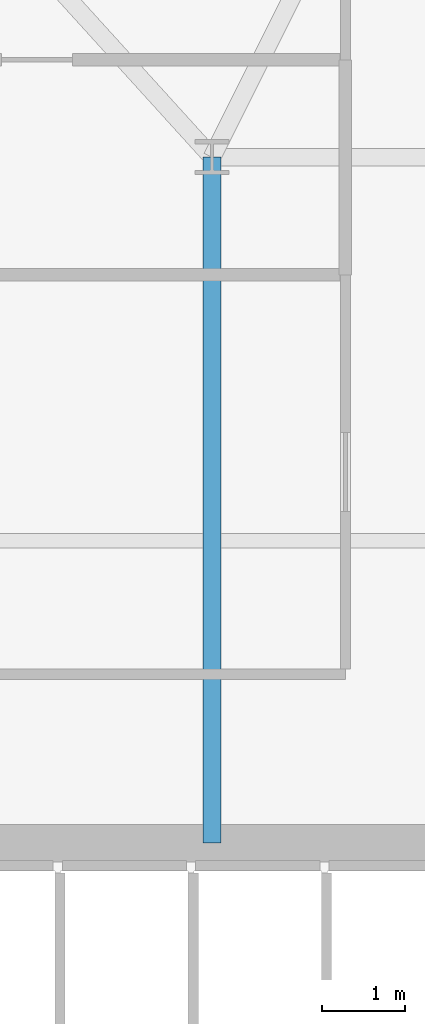
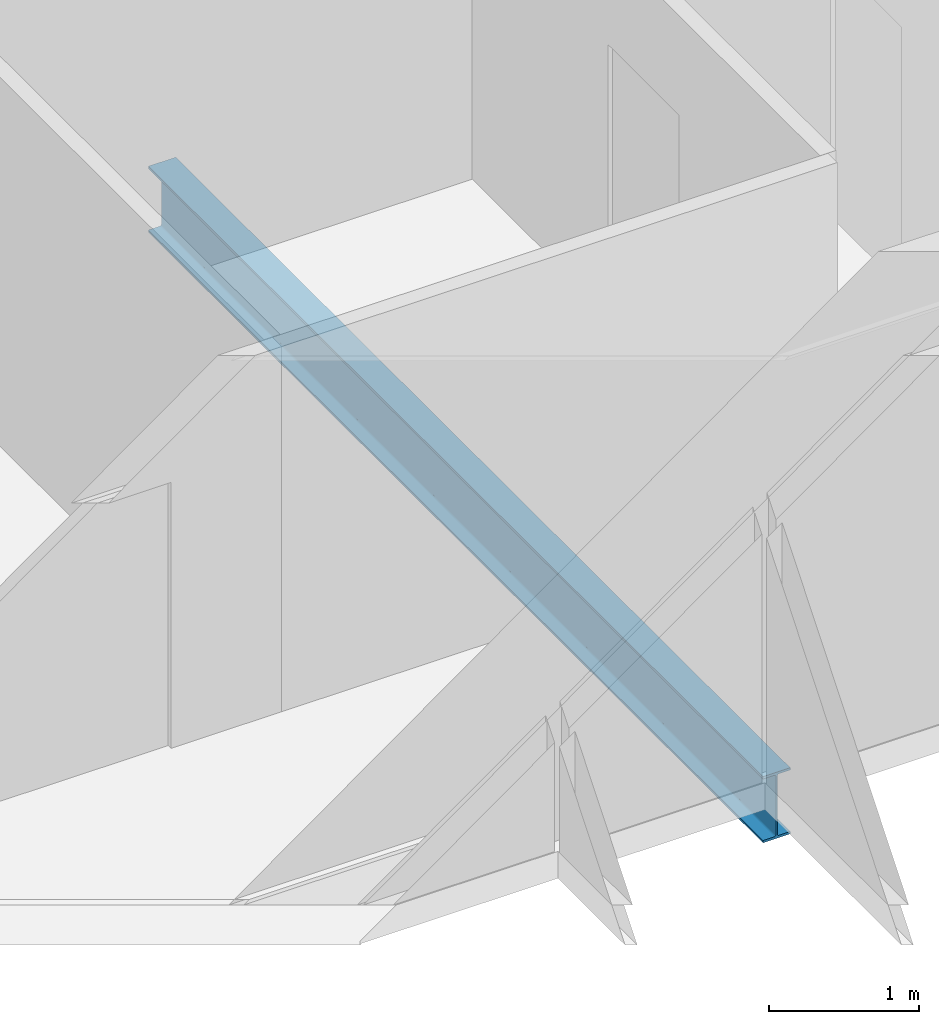
# One storey, part 6 of 31: 1 beam.
"""IFC4 building model written with IfcOpenShell, lengths in metres."""

from ifc_helpers import new_model, si_unit, direction, frame, origin, origin_2d, place, context, subcontext, project, spatial, i_section, extrude, material, material_profile, profile_set, type_object, element, save


model = new_model("IFC4")

# Units and contexts
model_context = context("Model", 3, precision=1e-05, world=origin(), true_north=direction((0.0, 1.0)))
body_context = subcontext(model_context, "Body", "Model", "MODEL_VIEW")
ifc_project = project(units=[si_unit("LENGTHUNIT", "METRE"), si_unit("AREAUNIT", "SQUARE_METRE"), si_unit("VOLUMEUNIT", "CUBIC_METRE"), si_unit("PLANEANGLEUNIT", "RADIAN"), si_unit("MASSUNIT", "GRAM", prefix="KILO")], contexts=[model_context])

# Site, building, storey
site_placement = place(None, origin())
site = spatial("IfcSite", under=ifc_project, at=site_placement, CompositionType="ELEMENT")
building_placement = place(site_placement, origin())
building = spatial("IfcBuilding", under=site, at=building_placement, Name="Ndaravel Arena Tower", CompositionType="ELEMENT")
storey_placement = place(building_placement, frame((0.0, 0.0, 146.0)))
storey = spatial("IfcBuildingStorey", under=building, at=storey_placement, Name="L34", CompositionType="ELEMENT", Elevation=146.0)

# Beam
ifc_material = material(Name="Steel S355", Category="steel")
ifc_material_profile = material_profile(ifc_material, i_section(OverallWidth=0.210693359375, OverallDepth=0.53955078125, WebThickness=0.01171875, FlangeThickness=0.018798828125, FilletRadius=0.0126953125, at=origin_2d()), Name="UB 533x210x109")
ifc_profile_set = profile_set([ifc_material_profile], Name="Steel S355")
beam_type = type_object("IfcBeamType", Name="BM-GIRD-UB533", PredefinedType="BEAM", material=ifc_profile_set)
beam_placement = place(storey_placement, frame((34.199951171875, 14.97998046875, -0.48974609375), z_axis=(0.0, 1.0, 0.0), x_axis=(-1.0, 0.0, 0.0)))
element("IfcBeam", 1, at=beam_placement, inside=storey, type_object=beam_type, Name="L34 Spine Link Girder SLG-01", PredefinedType="BEAM", context=body_context, shape_type="SweptSolid", body=[
    extrude(i_section(OverallWidth=0.210693359375, OverallDepth=0.53955078125, WebThickness=0.01171875, FlangeThickness=0.018798828125, FilletRadius=0.0126953125, at=origin_2d()), origin(), (0.0, 0.0, 1.0), 8.219970703125),
])

save(model, "model.ifc")
